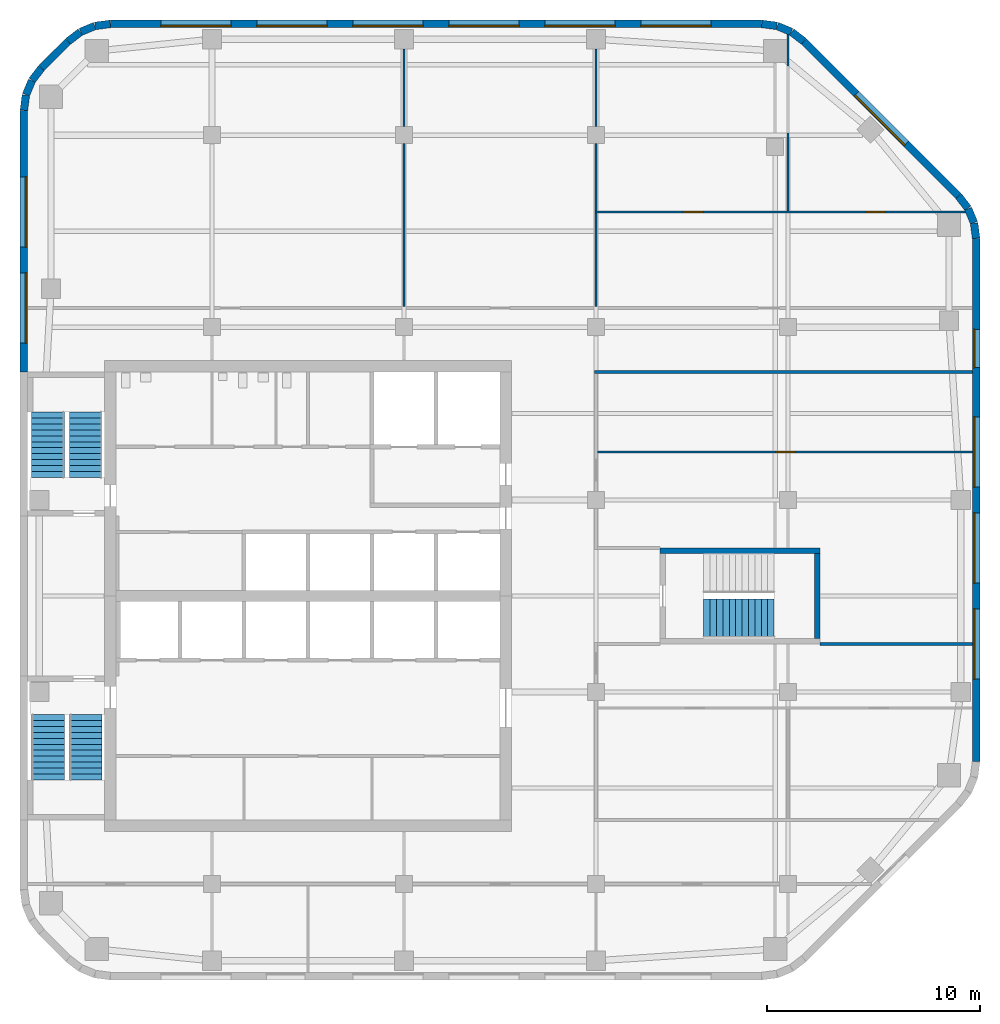
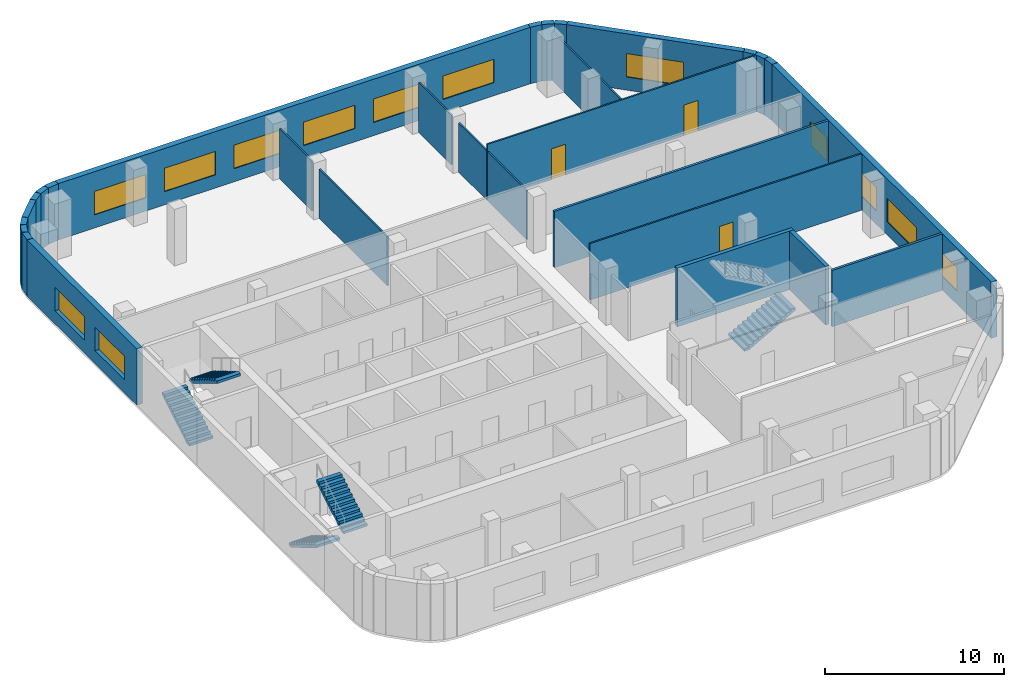
# One storey, part 5 of 8: 29 walls, 13 windows, 5 stair flights, 3 doors, 16 openings, 3 elements without a shape of their own.
"""IFC4 building model written with IfcOpenShell, lengths in metres."""

from ifc_helpers import new_model, si_unit, direction, frame, frame_2d, origin, place, context, subcontext, project, spatial, polyline, rectangle, outline, extrude, material, layer, layer_set, type_object, element, fill, aggregate, save


model = new_model("IFC4")

# Units and contexts
model_context = context("Model", 3, precision=1e-05, world=origin(), true_north=direction((0.0, 1.0)))
body_context = subcontext(model_context, "Body", "Model", "MODEL_VIEW")
ifc_project = project(units=[si_unit("LENGTHUNIT", "METRE"), si_unit("AREAUNIT", "SQUARE_METRE"), si_unit("VOLUMEUNIT", "CUBIC_METRE"), si_unit("PLANEANGLEUNIT", "RADIAN"), si_unit("MASSUNIT", "GRAM", prefix="KILO")], contexts=[model_context])

# Site, building, storey
site_placement = place(None, origin())
site = spatial("IfcSite", under=ifc_project, at=site_placement, CompositionType="ELEMENT")
building_placement = place(site_placement, origin())
building = spatial("IfcBuilding", under=site, at=building_placement, Name="Cinnabar Reach Civic Tower", CompositionType="ELEMENT")
storey_placement = place(building_placement, frame((0.0, 0.0, 226.0)))
storey = spatial("IfcBuildingStorey", under=building, at=storey_placement, Name="L54", CompositionType="ELEMENT", Elevation=226.0)

# Walls
ifc_material_1 = material(Name="Facing brick with insulated backing", Category="masonry")
ifc_layer_1 = layer(ifc_material_1, 0.36)
ifc_layer_set_1 = layer_set([ifc_layer_1], Name="Brick corner wall")
wall_type_1 = type_object("IfcWallType", Name="Brick corner wall", PredefinedType="STANDARD", material=ifc_layer_set_1)
for number, where, z_axis, x_axis, name in (
    (1, (44.817, 48.2686, 0.0), (0.0, 0.0, 1.0), (-0.13055608231, 0.99144092581, 0.0), "Brick corner wall"),
    (2, (44.7181, 48.9973, 0.0), (0.0, 0.0, 1.0), (-0.382702709855, 0.923871547278, 0.0), "Brick corner wall"),
):
    element("IfcWall", number, at=place(storey_placement, frame(where, z_axis=z_axis, x_axis=x_axis)), inside=storey, type_object=wall_type_1, Name=name, PredefinedType="STANDARD", context=body_context, shape_type="SweptSolid", body=[
        extrude(rectangle(XDim=0.7131, YDim=0.36, at=frame_2d((0.3565, 0.0))), origin(), (0.0, 0.0, 1.0), 3.85),
    ])
for number, where, z_axis, x_axis, name in (
    (3, (44.434, 49.6755, 0.0), (0.0, 0.0, 1.0), (-0.608802368033, 0.793321924995, 0.0), "Brick corner wall"),
    (4, (36.7413, 57.4998, 0.0), (0.0, 0.0, 1.0), (-0.793321924995, 0.608802368033, 0.0), "Brick corner wall"),
):
    element("IfcWall", number, at=place(storey_placement, frame(where, z_axis=z_axis, x_axis=x_axis)), inside=storey, type_object=wall_type_1, Name=name, PredefinedType="STANDARD", context=body_context, shape_type="SweptSolid", body=[
        extrude(rectangle(XDim=0.7132, YDim=0.36, at=frame_2d((0.3566, 0.0))), origin(), (0.0, 0.0, 1.0), 3.85),
    ])
for number, where, z_axis, x_axis, name in (
    (5, (36.1561, 57.9452, 0.0), (0.0, 0.0, 1.0), (-0.923871547278, 0.382702709855, 0.0), "Brick corner wall"),
    (6, (35.4756, 58.2239, 0.0), (0.0, 0.0, 1.0), (-0.99144092581, 0.13055608231, 0.0), "Brick corner wall"),
    (7, (4.2314, 58.317, 0.0), (0.0, 0.0, 1.0), (-0.99144092581, -0.13055608231, 0.0), "Brick corner wall"),
    (8, (3.5027, 58.2181, 0.0), (0.0, 0.0, 1.0), (-0.923871547278, -0.382702709855, 0.0), "Brick corner wall"),
):
    element("IfcWall", number, at=place(storey_placement, frame(where, z_axis=z_axis, x_axis=x_axis)), inside=storey, type_object=wall_type_1, Name=name, PredefinedType="STANDARD", context=body_context, shape_type="SweptSolid", body=[
        extrude(rectangle(XDim=0.7131, YDim=0.36, at=frame_2d((0.3565, 0.0))), origin(), (0.0, 0.0, 1.0), 3.85),
    ])
for number, where, z_axis, x_axis, name in (
    (9, (2.8245, 57.934, 0.0), (0.0, 0.0, 1.0), (-0.793321924995, -0.608802368033, 0.0), "Brick corner wall"),
    (10, (1.0002, 56.2413, 0.0), (0.0, 0.0, 1.0), (-0.608802368033, -0.793321924995, 0.0), "Brick corner wall"),
):
    element("IfcWall", number, at=place(storey_placement, frame(where, z_axis=z_axis, x_axis=x_axis)), inside=storey, type_object=wall_type_1, Name=name, PredefinedType="STANDARD", context=body_context, shape_type="SweptSolid", body=[
        extrude(rectangle(XDim=0.7132, YDim=0.36, at=frame_2d((0.3566, 0.0))), origin(), (0.0, 0.0, 1.0), 3.85),
    ])
for number, where, z_axis, x_axis, name in (
    (11, (0.5548, 55.6561, 0.0), (0.0, 0.0, 1.0), (-0.382702709855, -0.923871547278, 0.0), "Brick corner wall"),
    (12, (0.2761, 54.9756, 0.0), (0.0, 0.0, 1.0), (-0.13055608231, -0.99144092581, 0.0), "Brick corner wall"),
):
    element("IfcWall", number, at=place(storey_placement, frame(where, z_axis=z_axis, x_axis=x_axis)), inside=storey, type_object=wall_type_1, Name=name, PredefinedType="STANDARD", context=body_context, shape_type="SweptSolid", body=[
        extrude(rectangle(XDim=0.7131, YDim=0.36, at=frame_2d((0.3565, 0.0))), origin(), (0.0, 0.0, 1.0), 3.85),
    ])

# Wall, openings, windows
ifc_layer_2 = layer(ifc_material_1, 0.36)
ifc_layer_set_2 = layer_set([ifc_layer_2], Name="Brick pier and spandrel wall")
wall_type_2 = type_object("IfcWallType", Name="Brick pier and spandrel wall", PredefinedType="STANDARD", material=ifc_layer_set_2)
wall_1_placement = place(storey_placement, frame((44.82, 23.7426, 0.0), z_axis=(0.0, 0.0, 1.0), x_axis=(0.0, 1.0, 0.0)))
wall_1 = element("IfcWall", 13, at=wall_1_placement, inside=storey, type_object=wall_type_2, Name="Brick facade wall", PredefinedType="STANDARD", context=body_context, shape_type="SweptSolid", body=[
    extrude(rectangle(XDim=24.5148, YDim=0.36, at=frame_2d((12.2574, 0.0))), origin(), (0.0, 0.0, 1.0), 3.85),
])
opening_1_placement = place(wall_1_placement, frame((3.8574, 0.0, 0.9)))
opening_1 = element("IfcOpeningElement", 14, at=opening_1_placement, cuts=wall_1, Name="Opening W2107", PredefinedType="OPENING", context=body_context, shape_type="SweptSolid", body=[
    extrude(rectangle(XDim=3.3, YDim=1.6, at=frame_2d((1.65, 0.8))), frame((0.0, 0.19, 0.0), z_axis=(0.0, -1.0, 0.0), x_axis=(1.0, 0.0, 0.0)), (0.0, 0.0, 1.0), 0.38),
])
opening_2_placement = place(wall_1_placement, frame((8.3574, 0.0, 0.9)))
opening_2 = element("IfcOpeningElement", 15, at=opening_2_placement, cuts=wall_1, Name="Opening W2108", PredefinedType="OPENING", context=body_context, shape_type="SweptSolid", body=[
    extrude(rectangle(XDim=3.3, YDim=1.6, at=frame_2d((1.65, 0.8))), frame((0.0, 0.19, 0.0), z_axis=(0.0, -1.0, 0.0), x_axis=(1.0, 0.0, 0.0)), (0.0, 0.0, 1.0), 0.38),
])
opening_3_placement = place(wall_1_placement, frame((12.8574, 0.0, 0.9)))
opening_3 = element("IfcOpeningElement", 16, at=opening_3_placement, cuts=wall_1, Name="Opening W2109", PredefinedType="OPENING", context=body_context, shape_type="SweptSolid", body=[
    extrude(rectangle(XDim=3.3, YDim=1.6, at=frame_2d((1.65, 0.8))), frame((0.0, 0.19, 0.0), z_axis=(0.0, -1.0, 0.0), x_axis=(1.0, 0.0, 0.0)), (0.0, 0.0, 1.0), 0.38),
])
opening_4_placement = place(wall_1_placement, frame((18.4574, 0.0, 0.9)))
opening_4 = element("IfcOpeningElement", 17, at=opening_4_placement, cuts=wall_1, Name="Opening W2110", PredefinedType="OPENING", context=body_context, shape_type="SweptSolid", body=[
    extrude(rectangle(XDim=1.8, YDim=1.6, at=frame_2d((0.9, 0.8))), frame((0.0, 0.19, 0.0), z_axis=(0.0, -1.0, 0.0), x_axis=(1.0, 0.0, 0.0)), (0.0, 0.0, 1.0), 0.38),
])
ifc_material_2 = material(Name="Clear double glazing in aluminium frame", Category="aluminium")
window_type_1 = type_object("IfcWindowType", Name="Deep-set window A", PartitioningType="SINGLE_PANEL", PredefinedType="WINDOW", material=ifc_material_2)
window_1_placement = place(opening_1_placement, origin())
window_1 = element("IfcWindow", 18, at=window_1_placement, inside=storey, type_object=window_type_1, Name="Window east face", OverallHeight=1.6, OverallWidth=3.3, PartitioningType="SINGLE_PANEL", PredefinedType="WINDOW", context=body_context, shape_type="SweptSolid", body=[
    extrude(rectangle(XDim=3.3, YDim=1.6, at=frame_2d((1.65, 0.8))), frame((0.0, 0.13, 0.0), z_axis=(0.0, -1.0, 0.0), x_axis=(1.0, 0.0, 0.0)), (0.0, 0.0, 1.0), 0.06),
])
fill(opening_1, window_1)
window_2_placement = place(opening_2_placement, origin())
window_2 = element("IfcWindow", 19, at=window_2_placement, inside=storey, type_object=window_type_1, Name="Window east face", OverallHeight=1.6, OverallWidth=3.3, PartitioningType="SINGLE_PANEL", PredefinedType="WINDOW", context=body_context, shape_type="SweptSolid", body=[
    extrude(rectangle(XDim=3.3, YDim=1.6, at=frame_2d((1.65, 0.8))), frame((0.0, 0.13, 0.0), z_axis=(0.0, -1.0, 0.0), x_axis=(1.0, 0.0, 0.0)), (0.0, 0.0, 1.0), 0.06),
])
fill(opening_2, window_2)
window_3_placement = place(opening_3_placement, origin())
window_3 = element("IfcWindow", 20, at=window_3_placement, inside=storey, type_object=window_type_1, Name="Window east face", OverallHeight=1.6, OverallWidth=3.3, PartitioningType="SINGLE_PANEL", PredefinedType="WINDOW", context=body_context, shape_type="SweptSolid", body=[
    extrude(rectangle(XDim=3.3, YDim=1.6, at=frame_2d((1.65, 0.8))), frame((0.0, 0.13, 0.0), z_axis=(0.0, -1.0, 0.0), x_axis=(1.0, 0.0, 0.0)), (0.0, 0.0, 1.0), 0.06),
])
fill(opening_3, window_3)
window_type_2 = type_object("IfcWindowType", Name="Deep-set window D", PartitioningType="SINGLE_PANEL", PredefinedType="WINDOW", material=ifc_material_2)
window_4_placement = place(opening_4_placement, origin())
window_4 = element("IfcWindow", 21, at=window_4_placement, inside=storey, type_object=window_type_2, Name="Window east face", OverallHeight=1.6, OverallWidth=1.8, PartitioningType="SINGLE_PANEL", PredefinedType="WINDOW", context=body_context, shape_type="SweptSolid", body=[
    extrude(rectangle(XDim=1.8, YDim=1.6, at=frame_2d((0.9, 0.8))), frame((0.0, 0.13, 0.0), z_axis=(0.0, -1.0, 0.0), x_axis=(1.0, 0.0, 0.0)), (0.0, 0.0, 1.0), 0.06),
])
fill(opening_4, window_4)

# Wall, opening, window
wall_2_placement = place(storey_placement, frame((43.994, 50.2514, 0.0), z_axis=(0.0, 0.0, 1.0), x_axis=(-0.707106781187, 0.707106781187, 0.0)))
wall_2 = element("IfcWall", 22, at=wall_2_placement, inside=storey, type_object=wall_type_2, Name="Brick facade wall", PredefinedType="STANDARD", context=body_context, shape_type="SweptSolid", body=[
    extrude(rectangle(XDim=10.2426, YDim=0.36, at=frame_2d((5.1213, 0.0))), origin(), (0.0, 0.0, 1.0), 3.85),
])
opening_5_placement = place(wall_2_placement, frame((3.4713, 0.0, 0.9)))
opening_5 = element("IfcOpeningElement", 23, at=opening_5_placement, cuts=wall_2, Name="Opening W2111", PredefinedType="OPENING", context=body_context, shape_type="SweptSolid", body=[
    extrude(rectangle(XDim=3.3, YDim=1.6, at=frame_2d((1.65, 0.8))), frame((0.0, 0.19, 0.0), z_axis=(0.0, -1.0, 0.0), x_axis=(1.0, 0.0, 0.0)), (0.0, 0.0, 1.0), 0.38),
])
window_5_placement = place(opening_5_placement, origin())
window_5 = element("IfcWindow", 24, at=window_5_placement, inside=storey, type_object=window_type_1, Name="Window northeast face", OverallHeight=1.6, OverallWidth=3.3, PartitioningType="SINGLE_PANEL", PredefinedType="WINDOW", context=body_context, shape_type="SweptSolid", body=[
    extrude(rectangle(XDim=3.3, YDim=1.6, at=frame_2d((1.65, 0.8))), frame((0.0, 0.13, 0.0), z_axis=(0.0, -1.0, 0.0), x_axis=(1.0, 0.0, 0.0)), (0.0, 0.0, 1.0), 0.06),
])
fill(opening_5, window_5)

# Wall, openings, windows
wall_3_placement = place(storey_placement, frame((34.7574, 58.32, 0.0), z_axis=(0.0, 0.0, 1.0), x_axis=(-1.0, 0.0, 0.0)))
wall_3 = element("IfcWall", 25, at=wall_3_placement, inside=storey, type_object=wall_type_2, Name="Brick facade wall", PredefinedType="STANDARD", context=body_context, shape_type="SweptSolid", body=[
    extrude(rectangle(XDim=30.5148, YDim=0.36, at=frame_2d((15.2574, 0.0))), origin(), (0.0, 0.0, 1.0), 3.85),
])
opening_6_placement = place(wall_3_placement, frame((2.3574, 0.0, 0.9)))
opening_6 = element("IfcOpeningElement", 26, at=opening_6_placement, cuts=wall_3, Name="Opening W2112", PredefinedType="OPENING", context=body_context, shape_type="SweptSolid", body=[
    extrude(rectangle(XDim=3.3, YDim=1.6, at=frame_2d((1.65, 0.8))), frame((0.0, 0.19, 0.0), z_axis=(0.0, -1.0, 0.0), x_axis=(1.0, 0.0, 0.0)), (0.0, 0.0, 1.0), 0.38),
])
opening_7_placement = place(wall_3_placement, frame((6.8574, 0.0, 0.9)))
opening_7 = element("IfcOpeningElement", 27, at=opening_7_placement, cuts=wall_3, Name="Opening W2113", PredefinedType="OPENING", context=body_context, shape_type="SweptSolid", body=[
    extrude(rectangle(XDim=3.3, YDim=1.6, at=frame_2d((1.65, 0.8))), frame((0.0, 0.19, 0.0), z_axis=(0.0, -1.0, 0.0), x_axis=(1.0, 0.0, 0.0)), (0.0, 0.0, 1.0), 0.38),
])
opening_8_placement = place(wall_3_placement, frame((11.3574, 0.0, 0.9)))
opening_8 = element("IfcOpeningElement", 28, at=opening_8_placement, cuts=wall_3, Name="Opening W2114", PredefinedType="OPENING", context=body_context, shape_type="SweptSolid", body=[
    extrude(rectangle(XDim=3.3, YDim=1.6, at=frame_2d((1.65, 0.8))), frame((0.0, 0.19, 0.0), z_axis=(0.0, -1.0, 0.0), x_axis=(1.0, 0.0, 0.0)), (0.0, 0.0, 1.0), 0.38),
])
opening_9_placement = place(wall_3_placement, frame((15.8574, 0.0, 0.9)))
opening_9 = element("IfcOpeningElement", 29, at=opening_9_placement, cuts=wall_3, Name="Opening W2115", PredefinedType="OPENING", context=body_context, shape_type="SweptSolid", body=[
    extrude(rectangle(XDim=3.3, YDim=1.6, at=frame_2d((1.65, 0.8))), frame((0.0, 0.19, 0.0), z_axis=(0.0, -1.0, 0.0), x_axis=(1.0, 0.0, 0.0)), (0.0, 0.0, 1.0), 0.38),
])
opening_10_placement = place(wall_3_placement, frame((20.3574, 0.0, 0.9)))
opening_10 = element("IfcOpeningElement", 30, at=opening_10_placement, cuts=wall_3, Name="Opening W2116", PredefinedType="OPENING", context=body_context, shape_type="SweptSolid", body=[
    extrude(rectangle(XDim=3.3, YDim=1.6, at=frame_2d((1.65, 0.8))), frame((0.0, 0.19, 0.0), z_axis=(0.0, -1.0, 0.0), x_axis=(1.0, 0.0, 0.0)), (0.0, 0.0, 1.0), 0.38),
])
opening_11_placement = place(wall_3_placement, frame((24.8574, 0.0, 0.9)))
opening_11 = element("IfcOpeningElement", 31, at=opening_11_placement, cuts=wall_3, Name="Opening W2117", PredefinedType="OPENING", context=body_context, shape_type="SweptSolid", body=[
    extrude(rectangle(XDim=3.3, YDim=1.6, at=frame_2d((1.65, 0.8))), frame((0.0, 0.19, 0.0), z_axis=(0.0, -1.0, 0.0), x_axis=(1.0, 0.0, 0.0)), (0.0, 0.0, 1.0), 0.38),
])
window_6_placement = place(opening_6_placement, origin())
window_6 = element("IfcWindow", 32, at=window_6_placement, inside=storey, type_object=window_type_1, Name="Window north face", OverallHeight=1.6, OverallWidth=3.3, PartitioningType="SINGLE_PANEL", PredefinedType="WINDOW", context=body_context, shape_type="SweptSolid", body=[
    extrude(rectangle(XDim=3.3, YDim=1.6, at=frame_2d((1.65, 0.8))), frame((0.0, 0.13, 0.0), z_axis=(0.0, -1.0, 0.0), x_axis=(1.0, 0.0, 0.0)), (0.0, 0.0, 1.0), 0.06),
])
fill(opening_6, window_6)
window_7_placement = place(opening_7_placement, origin())
window_7 = element("IfcWindow", 33, at=window_7_placement, inside=storey, type_object=window_type_1, Name="Window north face", OverallHeight=1.6, OverallWidth=3.3, PartitioningType="SINGLE_PANEL", PredefinedType="WINDOW", context=body_context, shape_type="SweptSolid", body=[
    extrude(rectangle(XDim=3.3, YDim=1.6, at=frame_2d((1.65, 0.8))), frame((0.0, 0.13, 0.0), z_axis=(0.0, -1.0, 0.0), x_axis=(1.0, 0.0, 0.0)), (0.0, 0.0, 1.0), 0.06),
])
fill(opening_7, window_7)
window_8_placement = place(opening_8_placement, origin())
window_8 = element("IfcWindow", 34, at=window_8_placement, inside=storey, type_object=window_type_1, Name="Window north face", OverallHeight=1.6, OverallWidth=3.3, PartitioningType="SINGLE_PANEL", PredefinedType="WINDOW", context=body_context, shape_type="SweptSolid", body=[
    extrude(rectangle(XDim=3.3, YDim=1.6, at=frame_2d((1.65, 0.8))), frame((0.0, 0.13, 0.0), z_axis=(0.0, -1.0, 0.0), x_axis=(1.0, 0.0, 0.0)), (0.0, 0.0, 1.0), 0.06),
])
fill(opening_8, window_8)
window_9_placement = place(opening_9_placement, origin())
window_9 = element("IfcWindow", 35, at=window_9_placement, inside=storey, type_object=window_type_1, Name="Window north face", OverallHeight=1.6, OverallWidth=3.3, PartitioningType="SINGLE_PANEL", PredefinedType="WINDOW", context=body_context, shape_type="SweptSolid", body=[
    extrude(rectangle(XDim=3.3, YDim=1.6, at=frame_2d((1.65, 0.8))), frame((0.0, 0.13, 0.0), z_axis=(0.0, -1.0, 0.0), x_axis=(1.0, 0.0, 0.0)), (0.0, 0.0, 1.0), 0.06),
])
fill(opening_9, window_9)
window_10_placement = place(opening_10_placement, origin())
window_10 = element("IfcWindow", 36, at=window_10_placement, inside=storey, type_object=window_type_1, Name="Window north face", OverallHeight=1.6, OverallWidth=3.3, PartitioningType="SINGLE_PANEL", PredefinedType="WINDOW", context=body_context, shape_type="SweptSolid", body=[
    extrude(rectangle(XDim=3.3, YDim=1.6, at=frame_2d((1.65, 0.8))), frame((0.0, 0.13, 0.0), z_axis=(0.0, -1.0, 0.0), x_axis=(1.0, 0.0, 0.0)), (0.0, 0.0, 1.0), 0.06),
])
fill(opening_10, window_10)
window_11_placement = place(opening_11_placement, origin())
window_11 = element("IfcWindow", 37, at=window_11_placement, inside=storey, type_object=window_type_1, Name="Window north face", OverallHeight=1.6, OverallWidth=3.3, PartitioningType="SINGLE_PANEL", PredefinedType="WINDOW", context=body_context, shape_type="SweptSolid", body=[
    extrude(rectangle(XDim=3.3, YDim=1.6, at=frame_2d((1.65, 0.8))), frame((0.0, 0.13, 0.0), z_axis=(0.0, -1.0, 0.0), x_axis=(1.0, 0.0, 0.0)), (0.0, 0.0, 1.0), 0.06),
])
fill(opening_11, window_11)

# Wall
wall_4_placement = place(storey_placement, frame((2.2486, 57.494, 0.0), z_axis=(0.0, 0.0, 1.0), x_axis=(-0.707106781187, -0.707106781187, 0.0)))
element("IfcWall", 38, at=wall_4_placement, inside=storey, type_object=wall_type_2, Name="Brick facade wall", PredefinedType="STANDARD", context=body_context, shape_type="SweptSolid", body=[
    extrude(rectangle(XDim=1.7573, YDim=0.36, at=frame_2d((0.8787, 0.0))), origin(), (0.0, 0.0, 1.0), 3.85),
])

# Wall, openings, windows
wall_5_placement = place(storey_placement, frame((0.18, 54.2574, 0.0), z_axis=(0.0, 0.0, 1.0), x_axis=(0.0, -1.0, 0.0)))
wall_5 = element("IfcWall", 39, at=wall_5_placement, inside=storey, type_object=wall_type_2, Name="Brick facade wall", PredefinedType="STANDARD", context=body_context, shape_type="SweptSolid", body=[
    extrude(rectangle(XDim=12.2574, YDim=0.36, at=frame_2d((6.1287, 0.0))), origin(), (0.0, 0.0, 1.0), 3.85),
])
opening_12_placement = place(wall_5_placement, frame((3.1074, 0.0, 0.9)))
opening_12 = element("IfcOpeningElement", 40, at=opening_12_placement, cuts=wall_5, Name="Opening W2118", PredefinedType="OPENING", context=body_context, shape_type="SweptSolid", body=[
    extrude(rectangle(XDim=3.3, YDim=1.6, at=frame_2d((1.65, 0.8))), frame((0.0, 0.19, 0.0), z_axis=(0.0, -1.0, 0.0), x_axis=(1.0, 0.0, 0.0)), (0.0, 0.0, 1.0), 0.38),
])
opening_13_placement = place(wall_5_placement, frame((7.6074, 0.0, 0.9)))
opening_13 = element("IfcOpeningElement", 41, at=opening_13_placement, cuts=wall_5, Name="Opening W2119", PredefinedType="OPENING", context=body_context, shape_type="SweptSolid", body=[
    extrude(rectangle(XDim=3.3, YDim=1.6, at=frame_2d((1.65, 0.8))), frame((0.0, 0.19, 0.0), z_axis=(0.0, -1.0, 0.0), x_axis=(1.0, 0.0, 0.0)), (0.0, 0.0, 1.0), 0.38),
])
window_12_placement = place(opening_12_placement, origin())
window_12 = element("IfcWindow", 42, at=window_12_placement, inside=storey, type_object=window_type_1, Name="Window west face", OverallHeight=1.6, OverallWidth=3.3, PartitioningType="SINGLE_PANEL", PredefinedType="WINDOW", context=body_context, shape_type="SweptSolid", body=[
    extrude(rectangle(XDim=3.3, YDim=1.6, at=frame_2d((1.65, 0.8))), frame((0.0, 0.13, 0.0), z_axis=(0.0, -1.0, 0.0), x_axis=(1.0, 0.0, 0.0)), (0.0, 0.0, 1.0), 0.06),
])
fill(opening_12, window_12)
window_13_placement = place(opening_13_placement, origin())
window_13 = element("IfcWindow", 43, at=window_13_placement, inside=storey, type_object=window_type_1, Name="Window west face", OverallHeight=1.6, OverallWidth=3.3, PartitioningType="SINGLE_PANEL", PredefinedType="WINDOW", context=body_context, shape_type="SweptSolid", body=[
    extrude(rectangle(XDim=3.3, YDim=1.6, at=frame_2d((1.65, 0.8))), frame((0.0, 0.13, 0.0), z_axis=(0.0, -1.0, 0.0), x_axis=(1.0, 0.0, 0.0)), (0.0, 0.0, 1.0), 0.06),
])
fill(opening_13, window_13)

# Wall
ifc_material_3 = material(Name="Gypsum board on steel studs, double layer", Category="steel")
ifc_layer_3 = layer(ifc_material_3, 0.15)
ifc_layer_set_3 = layer_set([ifc_layer_3], Name="Corridor wall 150 T1")
wall_type_3 = type_object("IfcWallType", Name="Corridor wall 150 T1", PredefinedType="PARTITIONING", material=ifc_layer_set_3)
wall_6_placement = place(storey_placement, frame((26.925, 42.0, 0.0), z_axis=(0.0, 0.0, 1.0), x_axis=(1.0, 0.0, 0.0)))
element("IfcWall", 44, at=wall_6_placement, inside=storey, type_object=wall_type_3, Name="Corridor wall 25", PredefinedType="PARTITIONING", context=body_context, shape_type="SweptSolid", body=[
    extrude(rectangle(XDim=17.715, YDim=0.15, at=frame_2d((8.8575, 0.0))), origin(), (0.0, 0.0, 1.0), 3.85),
])

# Wall, opening, door
ifc_material_4 = material(Name="Gypsum board on steel studs", Category="steel")
ifc_layer_4 = layer(ifc_material_4, 0.1)
ifc_layer_set_4 = layer_set([ifc_layer_4], Name="Partition wall 100 T1")
wall_type_4 = type_object("IfcWallType", Name="Partition wall 100 T1", PredefinedType="PARTITIONING", material=ifc_layer_set_4)
wall_7_placement = place(storey_placement, frame((27.075, 38.25, 0.0), z_axis=(0.0, 0.0, 1.0), x_axis=(1.0, 0.0, 0.0)))
wall_7 = element("IfcWall", 45, at=wall_7_placement, inside=storey, type_object=wall_type_4, Name="Partition wall 41", PredefinedType="PARTITIONING", context=body_context, shape_type="SweptSolid", body=[
    extrude(rectangle(XDim=17.565, YDim=0.1, at=frame_2d((8.7825, 0.0))), origin(), (0.0, 0.0, 1.0), 3.85),
])
opening_14_placement = place(wall_7_placement, frame((8.35, 0.0, 0.0)))
opening_14 = element("IfcOpeningElement", 46, at=opening_14_placement, cuts=wall_7, Name="Opening D5213", PredefinedType="OPENING", context=body_context, shape_type="SweptSolid", body=[
    extrude(rectangle(XDim=0.9, YDim=2.1, at=frame_2d((0.45, 1.05))), frame((0.0, 0.06, 0.0), z_axis=(0.0, -1.0, 0.0), x_axis=(1.0, 0.0, 0.0)), (0.0, 0.0, 1.0), 0.12),
])
ifc_material_5 = material(Name="Timber door leaf in steel frame", Category="steel")
door_type = type_object("IfcDoorType", Name="Single swing door 900 x 2100 T1", OperationType="SINGLE_SWING_LEFT", PredefinedType="DOOR", material=ifc_material_5)
door_1_placement = place(opening_14_placement, origin())
door_1 = element("IfcDoor", 47, at=door_1_placement, inside=storey, type_object=door_type, Name="Door D5213", OperationType="SINGLE_SWING_RIGHT", OverallHeight=2.1, OverallWidth=0.9, PredefinedType="DOOR", context=body_context, shape_type="SweptSolid", body=[
    extrude(rectangle(XDim=0.9, YDim=2.1, at=frame_2d((0.45, 1.05))), frame((0.0, 0.025, 0.0), z_axis=(0.0, -1.0, 0.0), x_axis=(1.0, 0.0, 0.0)), (0.0, 0.0, 1.0), 0.05),
])
fill(opening_14, door_1)

# Wall, openings, doors
wall_8_placement = place(storey_placement, frame((26.95, 49.5, 0.0), z_axis=(0.0, 0.0, 1.0), x_axis=(1.0, 0.0, 0.0)))
wall_8 = element("IfcWall", 48, at=wall_8_placement, inside=storey, type_object=wall_type_4, Name="Partition wall 42", PredefinedType="PARTITIONING", context=body_context, shape_type="SweptSolid", body=[
    extrude(rectangle(XDim=17.365, YDim=0.1, at=frame_2d((8.6825, 0.0))), origin(), (0.0, 0.0, 1.0), 3.85),
])
opening_15_placement = place(wall_8_placement, frame((4.15, 0.0, 0.0)))
opening_15 = element("IfcOpeningElement", 49, at=opening_15_placement, cuts=wall_8, Name="Opening D5223", PredefinedType="OPENING", context=body_context, shape_type="SweptSolid", body=[
    extrude(rectangle(XDim=0.9, YDim=2.1, at=frame_2d((0.45, 1.05))), frame((0.0, 0.06, 0.0), z_axis=(0.0, -1.0, 0.0), x_axis=(1.0, 0.0, 0.0)), (0.0, 0.0, 1.0), 0.12),
])
opening_16_placement = place(wall_8_placement, frame((12.7, 0.0, 0.0)))
opening_16 = element("IfcOpeningElement", 50, at=opening_16_placement, cuts=wall_8, Name="Opening D5224", PredefinedType="OPENING", context=body_context, shape_type="SweptSolid", body=[
    extrude(rectangle(XDim=0.9, YDim=2.1, at=frame_2d((0.45, 1.05))), frame((0.0, 0.06, 0.0), z_axis=(0.0, -1.0, 0.0), x_axis=(1.0, 0.0, 0.0)), (0.0, 0.0, 1.0), 0.12),
])
door_2_placement = place(opening_15_placement, origin())
door_2 = element("IfcDoor", 51, at=door_2_placement, inside=storey, type_object=door_type, Name="Door D5223", OperationType="SINGLE_SWING_LEFT", OverallHeight=2.1, OverallWidth=0.9, PredefinedType="DOOR", context=body_context, shape_type="SweptSolid", body=[
    extrude(rectangle(XDim=0.9, YDim=2.1, at=frame_2d((0.45, 1.05))), frame((0.0, 0.025, 0.0), z_axis=(0.0, -1.0, 0.0), x_axis=(1.0, 0.0, 0.0)), (0.0, 0.0, 1.0), 0.05),
])
fill(opening_15, door_2)
door_3_placement = place(opening_16_placement, origin())
door_3 = element("IfcDoor", 52, at=door_3_placement, inside=storey, type_object=door_type, Name="Door D5224", OperationType="SINGLE_SWING_RIGHT", OverallHeight=2.1, OverallWidth=0.9, PredefinedType="DOOR", context=body_context, shape_type="SweptSolid", body=[
    extrude(rectangle(XDim=0.9, YDim=2.1, at=frame_2d((0.45, 1.05))), frame((0.0, 0.025, 0.0), z_axis=(0.0, -1.0, 0.0), x_axis=(1.0, 0.0, 0.0)), (0.0, 0.0, 1.0), 0.05),
])
fill(opening_16, door_3)

# Walls
wall_9_placement = place(storey_placement, frame((18.0, 45.075, 0.0), z_axis=(0.0, 0.0, 1.0), x_axis=(0.0, 1.0, 0.0)))
element("IfcWall", 53, at=wall_9_placement, inside=storey, type_object=wall_type_4, Name="Partition wall 43", PredefinedType="PARTITIONING", context=body_context, shape_type="SweptSolid", body=[
    extrude(rectangle(XDim=7.625, YDim=0.1, at=frame_2d((3.8125, 0.0))), origin(), (0.0, 0.0, 1.0), 3.35),
])
wall_10_placement = place(storey_placement, frame((18.0, 53.5, 0.0), z_axis=(0.0, 0.0, 1.0), x_axis=(0.0, 1.0, 0.0)))
element("IfcWall", 54, at=wall_10_placement, inside=storey, type_object=wall_type_4, Name="Partition wall 44", PredefinedType="PARTITIONING", context=body_context, shape_type="SweptSolid", body=[
    extrude(rectangle(XDim=3.65, YDim=0.1, at=frame_2d((1.825, 0.0))), origin(), (0.0, 0.0, 1.0), 3.41),
])
wall_11_placement = place(storey_placement, frame((27.0, 45.075, 0.0), z_axis=(0.0, 0.0, 1.0), x_axis=(0.0, 1.0, 0.0)))
element("IfcWall", 55, at=wall_11_placement, inside=storey, type_object=wall_type_4, Name="Partition wall 45", PredefinedType="PARTITIONING", context=body_context, shape_type="SweptSolid", body=[
    extrude(rectangle(XDim=4.375, YDim=0.1, at=frame_2d((2.1875, 0.0))), origin(), (0.0, 0.0, 1.0), 3.35),
])
wall_12_placement = place(storey_placement, frame((27.0, 49.55, 0.0), z_axis=(0.0, 0.0, 1.0), x_axis=(0.0, 1.0, 0.0)))
element("IfcWall", 56, at=wall_12_placement, inside=storey, type_object=wall_type_4, Name="Partition wall 46", PredefinedType="PARTITIONING", context=body_context, shape_type="SweptSolid", body=[
    extrude(rectangle(XDim=3.15, YDim=0.1, at=frame_2d((1.575, 0.0))), origin(), (0.0, 0.0, 1.0), 3.35),
])
wall_13_placement = place(storey_placement, frame((27.0, 53.5, 0.0), z_axis=(0.0, 0.0, 1.0), x_axis=(0.0, 1.0, 0.0)))
element("IfcWall", 57, at=wall_13_placement, inside=storey, type_object=wall_type_4, Name="Partition wall 47", PredefinedType="PARTITIONING", context=body_context, shape_type="SweptSolid", body=[
    extrude(rectangle(XDim=3.65, YDim=0.1, at=frame_2d((1.825, 0.0))), origin(), (0.0, 0.0, 1.0), 3.41),
])
wall_14_placement = place(storey_placement, frame((36.0, 49.55, 0.0), z_axis=(0.0, 0.0, 1.0), x_axis=(0.0, 1.0, 0.0)))
element("IfcWall", 58, at=wall_14_placement, inside=storey, type_object=wall_type_4, Name="Partition wall 48", PredefinedType="PARTITIONING", context=body_context, shape_type="SweptSolid", body=[
    extrude(rectangle(XDim=8.265, YDim=0.1, at=frame_2d((4.1325, 0.0))), origin(), (0.0, 0.0, 1.0), 3.35),
])
ifc_material_6 = material(Name="Concrete C60", Category="concrete")
ifc_layer_5 = layer(ifc_material_6, 0.25)
ifc_layer_set_5 = layer_set([ifc_layer_5], Name="Stair shaft wall 250 EI 120")
wall_type_5 = type_object("IfcWallType", Name="Stair shaft wall 250 EI 120", PredefinedType="SOLIDWALL", material=ifc_layer_set_5)
wall_15_placement = place(storey_placement, frame((37.5, 33.625, 0.0), z_axis=(0.0, 0.0, 1.0), x_axis=(-1.0, 0.0, 0.0)))
element("IfcWall", 59, at=wall_15_placement, inside=storey, type_object=wall_type_5, Name="Stair shaft wall T1-S3 L54", PredefinedType="SOLIDWALL", context=body_context, shape_type="SweptSolid", body=[
    extrude(rectangle(XDim=7.5, YDim=0.25, at=frame_2d((3.75, 0.0))), origin(), (0.0, 0.0, 1.0), 4.0),
])
wall_16_placement = place(storey_placement, frame((37.375, 29.5, 0.0), z_axis=(0.0, 0.0, 1.0), x_axis=(0.0, 1.0, 0.0)))
element("IfcWall", 60, at=wall_16_placement, inside=storey, type_object=wall_type_5, Name="Stair shaft wall T1-S3 L54", PredefinedType="SOLIDWALL", context=body_context, shape_type="SweptSolid", body=[
    extrude(rectangle(XDim=4.0, YDim=0.25, at=frame_2d((2.0, 0.0))), origin(), (0.0, 0.0, 1.0), 4.0),
])
ifc_layer_6 = layer(ifc_material_3, 0.15)
ifc_layer_set_6 = layer_set([ifc_layer_6], Name="Tenancy separating wall 150 T1")
wall_type_6 = type_object("IfcWallType", Name="Tenancy separating wall 150 T1", PredefinedType="PARTITIONING", material=ifc_layer_set_6)
wall_17_placement = place(storey_placement, frame((37.5, 29.25, 0.0), z_axis=(0.0, 0.0, 1.0), x_axis=(1.0, 0.0, 0.0)))
element("IfcWall", 61, at=wall_17_placement, inside=storey, type_object=wall_type_6, Name="Tenancy separating wall 39", PredefinedType="PARTITIONING", context=body_context, shape_type="SweptSolid", body=[
    extrude(rectangle(XDim=7.14, YDim=0.15, at=frame_2d((3.57, 0.0))), origin(), (0.0, 0.0, 1.0), 3.85),
])

# Stair, stair flights
ifc_material_7 = material(Name="Concrete C40/50", Category="concrete")
stair_type = type_object("IfcStairType", Name="T1 Exit stair, half-turn", PredefinedType="HALF_TURN_STAIR", material=ifc_material_7)
stair_1_placement = place(storey_placement, origin())
stair_1 = element("IfcStair", 62, at=stair_1_placement, inside=storey, type_object=stair_type, Name="Stair T1-S1", PredefinedType="HALF_TURN_STAIR")
stair_flight_type = type_object("IfcStairFlightType", Name="T1 Stair flight, concrete", PredefinedType="STRAIGHT", material=ifc_material_7)
stair_flight_1_placement = place(storey_placement, frame((1.3125, 25.95, 0.0), z_axis=(0.0, 0.0, 1.0), x_axis=(0.0, -1.0, 0.0)))
stair_flight_1 = element("IfcStairFlight", 63, at=stair_flight_1_placement, type_object=stair_flight_type, Name="T1-S1 flight 1", NumberOfRisers=12, NumberOfTreads=11, PredefinedType="STRAIGHT", RiserHeight=0.166666667, TreadLength=0.28, context=body_context, shape_type="SweptSolid", body=[
    extrude(outline(polyline([(0.0, 0.0), (0.0, 0.1667), (0.28, 0.1667), (0.28, 0.3333), (0.56, 0.3333), (0.56, 0.5), (0.84, 0.5), (0.84, 0.6667), (1.12, 0.6667), (1.12, 0.8333), (1.4, 0.8333), (1.4, 1.0), (1.68, 1.0), (1.68, 1.1667), (1.96, 1.1667), (1.96, 1.3333), (2.24, 1.3333), (2.24, 1.5), (2.52, 1.5), (2.52, 1.6667), (2.8, 1.6667), (2.8, 1.8333), (3.08, 1.8333), (3.08, 2.0), (3.08, 1.6588), (0.2933, 0.0), (0.0, 0.0)])), frame((0.0, 0.7625, 0.0), z_axis=(0.0, -1.0, 0.0), x_axis=(1.0, 0.0, 0.0)), (0.0, 0.0, 1.0), 1.525),
])
stair_flight_2_placement = place(storey_placement, frame((3.0875, 22.87, 2.0), z_axis=(0.0, 0.0, 1.0), x_axis=(0.0, 1.0, 0.0)))
stair_flight_2 = element("IfcStairFlight", 64, at=stair_flight_2_placement, type_object=stair_flight_type, Name="T1-S1 flight 2", NumberOfRisers=12, NumberOfTreads=11, PredefinedType="STRAIGHT", RiserHeight=0.166666667, TreadLength=0.28, context=body_context, shape_type="SweptSolid", body=[
    extrude(outline(polyline([(0.0, 0.0), (0.0, 0.1667), (0.28, 0.1667), (0.28, 0.3333), (0.56, 0.3333), (0.56, 0.5), (0.84, 0.5), (0.84, 0.6667), (1.12, 0.6667), (1.12, 0.8333), (1.4, 0.8333), (1.4, 1.0), (1.68, 1.0), (1.68, 1.1667), (1.96, 1.1667), (1.96, 1.3333), (2.24, 1.3333), (2.24, 1.5), (2.52, 1.5), (2.52, 1.6667), (2.8, 1.6667), (2.8, 1.8333), (3.08, 1.8333), (3.08, 2.0), (3.08, 1.6588), (0.2933, 0.0), (0.0, 0.0)])), frame((0.0, 0.7625, 0.0), z_axis=(0.0, -1.0, 0.0), x_axis=(1.0, 0.0, 0.0)), (0.0, 0.0, 1.0), 1.525),
])
aggregate(stair_1, [stair_flight_1, stair_flight_2])

stair_2_placement = place(storey_placement, origin())
stair_2 = element("IfcStair", 65, at=stair_2_placement, inside=storey, type_object=stair_type, Name="Stair T1-S2", PredefinedType="HALF_TURN_STAIR")
stair_flight_3_placement = place(storey_placement, frame((1.3125, 37.05, 0.0), z_axis=(0.0, 0.0, 1.0), x_axis=(0.0, 1.0, 0.0)))
stair_flight_3 = element("IfcStairFlight", 66, at=stair_flight_3_placement, type_object=stair_flight_type, Name="T1-S2 flight 1", NumberOfRisers=12, NumberOfTreads=11, PredefinedType="STRAIGHT", RiserHeight=0.166666667, TreadLength=0.28, context=body_context, shape_type="SweptSolid", body=[
    extrude(outline(polyline([(0.0, 0.0), (0.0, 0.1667), (0.28, 0.1667), (0.28, 0.3333), (0.56, 0.3333), (0.56, 0.5), (0.84, 0.5), (0.84, 0.6667), (1.12, 0.6667), (1.12, 0.8333), (1.4, 0.8333), (1.4, 1.0), (1.68, 1.0), (1.68, 1.1667), (1.96, 1.1667), (1.96, 1.3333), (2.24, 1.3333), (2.24, 1.5), (2.52, 1.5), (2.52, 1.6667), (2.8, 1.6667), (2.8, 1.8333), (3.08, 1.8333), (3.08, 2.0), (3.08, 1.6588), (0.2933, 0.0), (0.0, 0.0)])), frame((0.0, 0.7625, 0.0), z_axis=(0.0, -1.0, 0.0), x_axis=(1.0, 0.0, 0.0)), (0.0, 0.0, 1.0), 1.525),
])
stair_flight_4_placement = place(storey_placement, frame((3.0875, 40.13, 2.0), z_axis=(0.0, 0.0, 1.0), x_axis=(0.0, -1.0, 0.0)))
stair_flight_4 = element("IfcStairFlight", 67, at=stair_flight_4_placement, type_object=stair_flight_type, Name="T1-S2 flight 2", NumberOfRisers=12, NumberOfTreads=11, PredefinedType="STRAIGHT", RiserHeight=0.166666667, TreadLength=0.28, context=body_context, shape_type="SweptSolid", body=[
    extrude(outline(polyline([(0.0, 0.0), (0.0, 0.1667), (0.28, 0.1667), (0.28, 0.3333), (0.56, 0.3333), (0.56, 0.5), (0.84, 0.5), (0.84, 0.6667), (1.12, 0.6667), (1.12, 0.8333), (1.4, 0.8333), (1.4, 1.0), (1.68, 1.0), (1.68, 1.1667), (1.96, 1.1667), (1.96, 1.3333), (2.24, 1.3333), (2.24, 1.5), (2.52, 1.5), (2.52, 1.6667), (2.8, 1.6667), (2.8, 1.8333), (3.08, 1.8333), (3.08, 2.0), (3.08, 1.6588), (0.2933, 0.0), (0.0, 0.0)])), frame((0.0, 0.7625, 0.0), z_axis=(0.0, -1.0, 0.0), x_axis=(1.0, 0.0, 0.0)), (0.0, 0.0, 1.0), 1.525),
])
aggregate(stair_2, [stair_flight_3, stair_flight_4])

# Stair, stair flight
stair_3_placement = place(storey_placement, origin())
stair_3 = element("IfcStair", 68, at=stair_3_placement, inside=storey, type_object=stair_type, Name="Stair T1-S3", PredefinedType="HALF_TURN_STAIR")
stair_flight_5_placement = place(storey_placement, frame((32.05, 30.45, 0.0), z_axis=(0.0, 0.0, 1.0), x_axis=(1.0, 0.0, 0.0)))
stair_flight_5 = element("IfcStairFlight", 69, at=stair_flight_5_placement, type_object=stair_flight_type, Name="T1-S3 flight 1", NumberOfRisers=12, NumberOfTreads=11, PredefinedType="STRAIGHT", RiserHeight=0.166666667, TreadLength=0.3, context=body_context, shape_type="SweptSolid", body=[
    extrude(outline(polyline([(0.0, 0.0), (0.0, 0.1667), (0.3, 0.1667), (0.3, 0.3333), (0.6, 0.3333), (0.6, 0.5), (0.9, 0.5), (0.9, 0.6667), (1.2, 0.6667), (1.2, 0.8333), (1.5, 0.8333), (1.5, 1.0), (1.8, 1.0), (1.8, 1.1667), (2.1, 1.1667), (2.1, 1.3333), (2.4, 1.3333), (2.4, 1.5), (2.7, 1.5), (2.7, 1.6667), (3.0, 1.6667), (3.0, 1.8333), (3.3, 1.8333), (3.3, 2.0), (3.3, 1.6617), (0.3089, 0.0), (0.0, 0.0)])), frame((0.0, 0.9, 0.0), z_axis=(0.0, -1.0, 0.0), x_axis=(1.0, 0.0, 0.0)), (0.0, 0.0, 1.0), 1.8),
])
aggregate(stair_3, [stair_flight_5])

save(model, "model.ifc")
